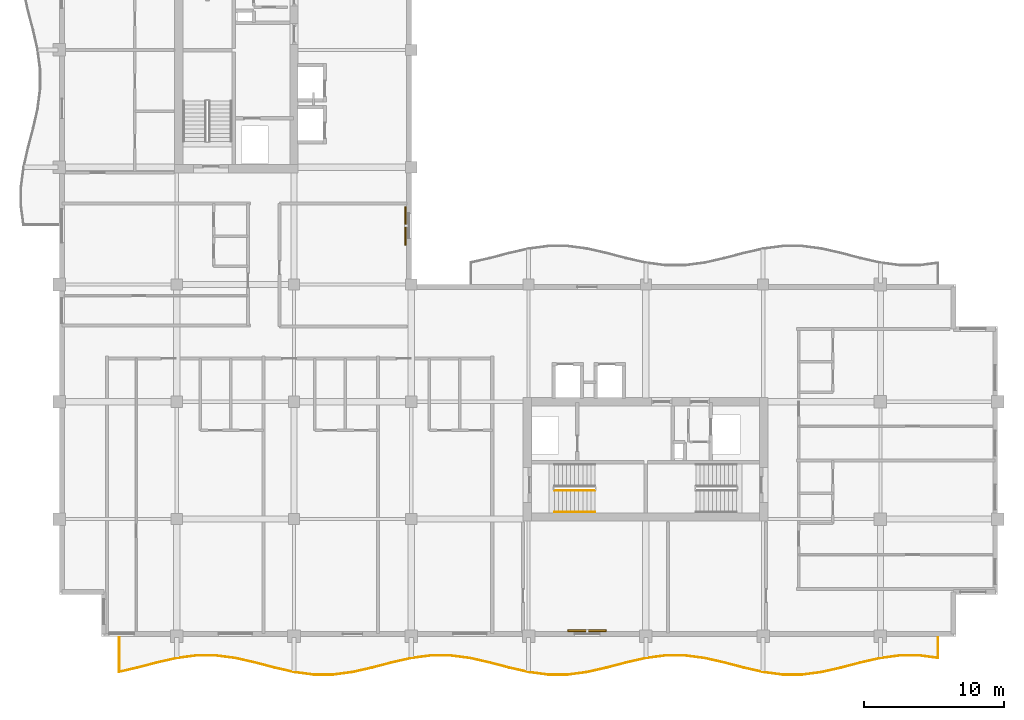
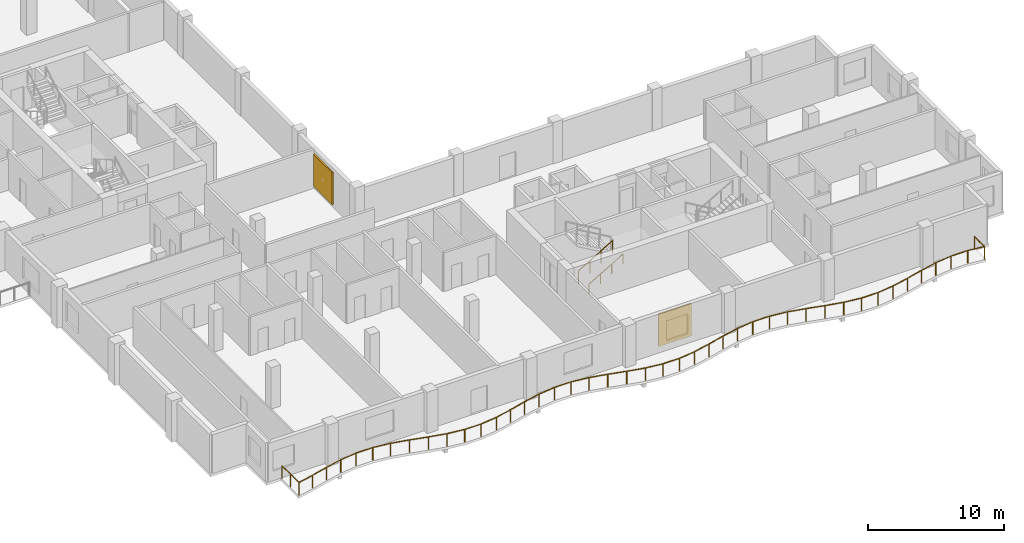
# One storey, part 10 of 12: 3 railings, 2 shading devices.
"""IFC4 building model written with IfcOpenShell, lengths in metres."""

from ifc_helpers import new_model, si_unit, direction, frame, origin, origin_2d, place, context, subcontext, project, spatial, rectangle, circle, extrude, material, layer, layer_set, type_object, element, save


model = new_model("IFC4")

# Units and contexts
model_context = context("Model", 3, precision=1e-05, world=origin(), true_north=direction((0.0, 1.0)))
body_context = subcontext(model_context, "Body", "Model", "MODEL_VIEW")
ifc_project = project(units=[si_unit("LENGTHUNIT", "METRE"), si_unit("AREAUNIT", "SQUARE_METRE"), si_unit("VOLUMEUNIT", "CUBIC_METRE"), si_unit("PLANEANGLEUNIT", "RADIAN"), si_unit("MASSUNIT", "GRAM", prefix="KILO")], contexts=[model_context])

# Site, building, storey
site_placement = place(None, origin())
site = spatial("IfcSite", under=ifc_project, at=site_placement, CompositionType="ELEMENT")
building_placement = place(site_placement, origin())
building = spatial("IfcBuilding", under=site, at=building_placement, Name="Koriwani Terraces Tower", CompositionType="ELEMENT")
storey_placement = place(building_placement, frame((0.0, 0.0, 249.0)))
storey = spatial("IfcBuildingStorey", under=building, at=storey_placement, Name="L61", CompositionType="ELEMENT", Elevation=249.0)

# Railings
ifc_material_1 = material(Name="Steel ASTM A572 Grade 50", Category="steel")
railing_type_1 = type_object("IfcRailingType", Name="GUARD_BALUSTRADE_1150", PredefinedType="BALUSTRADE", material=ifc_material_1)
railing_1_placement = place(storey_placement, frame((12.679931640625, 8.320068359375, 0.0)))
element("IfcRailing", 1, at=railing_1_placement, inside=storey, type_object=railing_type_1, Name="L61 Balcony Perimeter Safety Balustrade (S)", PredefinedType="BALUSTRADE", context=body_context, shape_type="SweptSolid", body=[
    extrude(circle(Radius=0.02392578125, at=origin_2d()), frame((0.0, 0.0, 1.1259765625), z_axis=(0.0, -1.0, 0.0), x_axis=(1.0, 0.0, 0.0)), (0.0, 0.0, 1.0), 2.4619140625),
    extrude(circle(Radius=0.02392578125, at=origin_2d()), frame((0.0, -2.4619140625, 1.1259765625), z_axis=(0.97513824805, 0.221597376316, 0.0), x_axis=(-0.221597376316, 0.97513824805, 0.0)), (0.0, 0.0, 1.0), 1.334228515625),
    extrude(circle(Radius=0.02392578125, at=origin_2d()), frame((1.301025390625, -2.166259765625, 1.1259765625), z_axis=(0.967207664387, 0.253986877518, 0.0), x_axis=(-0.253986877518, 0.967207664387, 0.0)), (0.0, 0.0, 1.0), 1.447509765625),
    extrude(circle(Radius=0.02392578125, at=origin_2d()), frame((2.701171875, -1.798583984375, 1.1259765625), z_axis=(0.975122866469, 0.221665052023, 0.0), x_axis=(-0.221665052023, 0.975122866469, 0.0)), (0.0, 0.0, 1.0), 1.440673828125),
    extrude(circle(Radius=0.02392578125, at=origin_2d()), frame((4.10595703125, -1.479248046875, 1.1259765625), z_axis=(0.991528403605, 0.12989004906, 0.0), x_axis=(-0.12989004906, 0.991528403605, 0.0)), (0.0, 0.0, 1.0), 1.4208984375),
    extrude(circle(Radius=0.02392578125, at=origin_2d()), frame((5.514892578125, -1.294677734375, 1.1259765625), z_axis=(1.0, 0.0, 0.0), x_axis=(0.0, 1.0, 0.0)), (0.0, 0.0, 1.0), 1.410400390625),
    extrude(circle(Radius=0.02392578125, at=origin_2d()), frame((6.92529296875, -1.294677734375, 1.1259765625), z_axis=(0.991528403605, -0.12989004906, 0.0), x_axis=(0.12989004906, 0.991528403605, 0.0)), (0.0, 0.0, 1.0), 1.4208984375),
    extrude(circle(Radius=0.02392578125, at=origin_2d()), frame((8.334228515625, -1.479248046875, 1.1259765625), z_axis=(0.975122866469, -0.221665052023, 0.0), x_axis=(0.221665052023, 0.975122866469, 0.0)), (0.0, 0.0, 1.0), 1.440673828125),
    extrude(circle(Radius=0.02392578125, at=origin_2d()), frame((9.739013671875, -1.798583984375, 1.1259765625), z_axis=(0.967207664387, -0.253986877518, 0.0), x_axis=(0.253986877518, 0.967207664387, 0.0)), (0.0, 0.0, 1.0), 1.447509765625),
    extrude(circle(Radius=0.02392578125, at=origin_2d()), frame((11.13916015625, -2.166259765625, 1.1259765625), z_axis=(0.975156320387, -0.221517834068, 0.0), x_axis=(0.221517834068, 0.975156320387, 0.0)), (0.0, 0.0, 1.0), 1.4306640625),
    extrude(circle(Radius=0.02392578125, at=origin_2d()), frame((12.5341796875, -2.483154296875, 1.1259765625), z_axis=(0.991493340479, -0.130157426935, 0.0), x_axis=(0.130157426935, 0.991493340479, 0.0)), (0.0, 0.0, 1.0), 1.403076171875),
    extrude(circle(Radius=0.02392578125, at=origin_2d()), frame((13.92529296875, -2.665771484375, 1.1259765625), z_axis=(1.0, 0.0, 0.0), x_axis=(0.0, 1.0, 0.0)), (0.0, 0.0, 1.0), 1.3896484375),
    extrude(circle(Radius=0.02392578125, at=origin_2d()), frame((15.31494140625, -2.665771484375, 1.1259765625), z_axis=(0.991493340479, 0.130157426935, 0.0), x_axis=(-0.130157426935, 0.991493340479, 0.0)), (0.0, 0.0, 1.0), 1.403076171875),
    extrude(circle(Radius=0.02392578125, at=origin_2d()), frame((16.7060546875, -2.483154296875, 1.1259765625), z_axis=(0.975156320387, 0.221517834068, 0.0), x_axis=(-0.221517834068, 0.975156320387, 0.0)), (0.0, 0.0, 1.0), 1.4306640625),
    extrude(circle(Radius=0.02392578125, at=origin_2d()), frame((18.10107421875, -2.166259765625, 1.1259765625), z_axis=(0.967196782226, 0.254028314271, 0.0), x_axis=(-0.254028314271, 0.967196782226, 0.0)), (0.0, 0.0, 1.0), 1.447265625),
    extrude(circle(Radius=0.02392578125, at=origin_2d()), frame((19.5009765625, -1.798583984375, 1.1259765625), z_axis=(0.975131191317, 0.221628427149, 0.0), x_axis=(-0.221628427149, 0.975131191317, 0.0)), (0.0, 0.0, 1.0), 1.44091796875),
    extrude(circle(Radius=0.02392578125, at=origin_2d()), frame((20.906005859375, -1.479248046875, 1.1259765625), z_axis=(0.991528403605, 0.12989004906, 0.0), x_axis=(-0.12989004906, 0.991528403605, 0.0)), (0.0, 0.0, 1.0), 1.4208984375),
    extrude(circle(Radius=0.02392578125, at=origin_2d()), frame((22.31494140625, -1.294677734375, 1.1259765625), z_axis=(1.0, 0.0, 0.0), x_axis=(0.0, 1.0, 0.0)), (0.0, 0.0, 1.0), 1.410400390625),
    extrude(circle(Radius=0.02392578125, at=origin_2d()), frame((23.725341796875, -1.294677734375, 1.1259765625), z_axis=(0.991528403605, -0.12989004906, 0.0), x_axis=(0.12989004906, 0.991528403605, 0.0)), (0.0, 0.0, 1.0), 1.4208984375),
    extrude(circle(Radius=0.02392578125, at=origin_2d()), frame((25.13427734375, -1.479248046875, 1.1259765625), z_axis=(0.975122866469, -0.221665052023, 0.0), x_axis=(0.221665052023, 0.975122866469, 0.0)), (0.0, 0.0, 1.0), 1.440673828125),
    extrude(circle(Radius=0.02392578125, at=origin_2d()), frame((26.5390625, -1.798583984375, 1.1259765625), z_axis=(0.967196782226, -0.254028314271, 0.0), x_axis=(0.254028314271, 0.967196782226, 0.0)), (0.0, 0.0, 1.0), 1.447265625),
    extrude(circle(Radius=0.02392578125, at=origin_2d()), frame((27.93896484375, -2.166259765625, 1.1259765625), z_axis=(0.975164692652, -0.221480974814, 0.0), x_axis=(0.221480974814, 0.975164692652, 0.0)), (0.0, 0.0, 1.0), 1.430908203125),
    extrude(circle(Radius=0.02392578125, at=origin_2d()), frame((29.334228515625, -2.483154296875, 1.1259765625), z_axis=(0.991493340479, -0.130157426935, 0.0), x_axis=(0.130157426935, 0.991493340479, 0.0)), (0.0, 0.0, 1.0), 1.403076171875),
    extrude(circle(Radius=0.02392578125, at=origin_2d()), frame((30.725341796875, -2.665771484375, 1.1259765625), z_axis=(1.0, 0.0, 0.0), x_axis=(0.0, 1.0, 0.0)), (0.0, 0.0, 1.0), 1.3896484375),
    extrude(circle(Radius=0.02392578125, at=origin_2d()), frame((32.114990234375, -2.665771484375, 1.1259765625), z_axis=(0.991490391866, 0.130179886452, 0.0), x_axis=(-0.130179886452, 0.991490391866, 0.0)), (0.0, 0.0, 1.0), 1.40283203125),
    extrude(circle(Radius=0.02392578125, at=origin_2d()), frame((33.505859375, -2.483154296875, 1.1259765625), z_axis=(0.975164692652, 0.221480974814, 0.0), x_axis=(-0.221480974814, 0.975164692652, 0.0)), (0.0, 0.0, 1.0), 1.430908203125),
    extrude(circle(Radius=0.02392578125, at=origin_2d()), frame((34.901123046875, -2.166259765625, 1.1259765625), z_axis=(0.967196782226, 0.254028314271, 0.0), x_axis=(-0.254028314271, 0.967196782226, 0.0)), (0.0, 0.0, 1.0), 1.447265625),
    extrude(circle(Radius=0.02392578125, at=origin_2d()), frame((36.301025390625, -1.798583984375, 1.1259765625), z_axis=(0.975131191317, 0.221628427149, 0.0), x_axis=(-0.221628427149, 0.975131191317, 0.0)), (0.0, 0.0, 1.0), 1.44091796875),
    extrude(circle(Radius=0.02392578125, at=origin_2d()), frame((37.7060546875, -1.479248046875, 1.1259765625), z_axis=(0.991528403605, 0.12989004906, 0.0), x_axis=(-0.12989004906, 0.991528403605, 0.0)), (0.0, 0.0, 1.0), 1.4208984375),
    extrude(circle(Radius=0.02392578125, at=origin_2d()), frame((39.114990234375, -1.294677734375, 1.1259765625), z_axis=(1.0, 0.0, 0.0), x_axis=(0.0, 1.0, 0.0)), (0.0, 0.0, 1.0), 1.41015625),
    extrude(circle(Radius=0.02392578125, at=origin_2d()), frame((40.525146484375, -1.294677734375, 1.1259765625), z_axis=(0.991528403605, -0.12989004906, 0.0), x_axis=(0.12989004906, 0.991528403605, 0.0)), (0.0, 0.0, 1.0), 1.4208984375),
    extrude(circle(Radius=0.02392578125, at=origin_2d()), frame((41.93408203125, -1.479248046875, 1.1259765625), z_axis=(0.975131191317, -0.221628427149, 0.0), x_axis=(0.221628427149, 0.975131191317, 0.0)), (0.0, 0.0, 1.0), 1.44091796875),
    extrude(circle(Radius=0.02392578125, at=origin_2d()), frame((43.339111328125, -1.798583984375, 1.1259765625), z_axis=(0.967196782226, -0.254028314271, 0.0), x_axis=(0.254028314271, 0.967196782226, 0.0)), (0.0, 0.0, 1.0), 1.447265625),
    extrude(circle(Radius=0.02392578125, at=origin_2d()), frame((44.739013671875, -2.166259765625, 1.1259765625), z_axis=(0.975164692652, -0.221480974814, 0.0), x_axis=(0.221480974814, 0.975164692652, 0.0)), (0.0, 0.0, 1.0), 1.430908203125),
    extrude(circle(Radius=0.02392578125, at=origin_2d()), frame((46.13427734375, -2.483154296875, 1.1259765625), z_axis=(0.991490391866, -0.130179886452, 0.0), x_axis=(0.130179886452, 0.991490391866, 0.0)), (0.0, 0.0, 1.0), 1.40283203125),
    extrude(circle(Radius=0.02392578125, at=origin_2d()), frame((47.525146484375, -2.665771484375, 1.1259765625), z_axis=(1.0, 0.0, 0.0), x_axis=(0.0, 1.0, 0.0)), (0.0, 0.0, 1.0), 1.3896484375),
    extrude(circle(Radius=0.02392578125, at=origin_2d()), frame((48.914794921875, -2.665771484375, 1.1259765625), z_axis=(0.991493340479, 0.130157426935, 0.0), x_axis=(-0.130157426935, 0.991493340479, 0.0)), (0.0, 0.0, 1.0), 1.403076171875),
    extrude(circle(Radius=0.02392578125, at=origin_2d()), frame((50.305908203125, -2.483154296875, 1.1259765625), z_axis=(0.975164692652, 0.221480974814, 0.0), x_axis=(-0.221480974814, 0.975164692652, 0.0)), (0.0, 0.0, 1.0), 1.430908203125),
    extrude(circle(Radius=0.02392578125, at=origin_2d()), frame((51.701171875, -2.166259765625, 1.1259765625), z_axis=(0.967196782226, 0.254028314271, 0.0), x_axis=(-0.254028314271, 0.967196782226, 0.0)), (0.0, 0.0, 1.0), 1.447265625),
    extrude(circle(Radius=0.02392578125, at=origin_2d()), frame((53.10107421875, -1.798583984375, 1.1259765625), z_axis=(0.975122866469, 0.221665052023, 0.0), x_axis=(-0.221665052023, 0.975122866469, 0.0)), (0.0, 0.0, 1.0), 1.440673828125),
    extrude(circle(Radius=0.02392578125, at=origin_2d()), frame((54.505859375, -1.479248046875, 1.1259765625), z_axis=(0.991528403605, 0.12989004906, 0.0), x_axis=(-0.12989004906, 0.991528403605, 0.0)), (0.0, 0.0, 1.0), 1.4208984375),
    extrude(circle(Radius=0.02392578125, at=origin_2d()), frame((55.914794921875, -1.294677734375, 1.1259765625), z_axis=(1.0, 0.0, 0.0), x_axis=(0.0, 1.0, 0.0)), (0.0, 0.0, 1.0), 1.410400390625),
    extrude(circle(Radius=0.02392578125, at=origin_2d()), frame((57.3251953125, -1.294677734375, 1.1259765625), z_axis=(0.991541795882, -0.129787776847, 0.0), x_axis=(0.129787776847, 0.991541795882, 0.0)), (0.0, 0.0, 1.0), 1.326171875),
    extrude(circle(Radius=0.02392578125, at=origin_2d()), frame((58.64013671875, -1.466796875, 1.1259765625), z_axis=(0.0, 1.0, 0.0), x_axis=(-1.0, 0.0, 0.0)), (0.0, 0.0, 1.0), 1.466796875),
    extrude(circle(Radius=0.02099609375, at=origin_2d()), origin(), (0.0, 0.0, 1.0), 1.101806640625),
    extrude(circle(Radius=0.02099609375, at=origin_2d()), frame((0.0, -1.23095703125, 0.0)), (0.0, 0.0, 1.0), 1.101806640625),
    extrude(circle(Radius=0.02099609375, at=origin_2d()), frame((0.0, -2.4619140625, 0.0)), (0.0, 0.0, 1.0), 1.101806640625),
    extrude(circle(Radius=0.02099609375, at=origin_2d()), frame((1.301025390625, -2.166259765625, 0.0)), (0.0, 0.0, 1.0), 1.101806640625),
    extrude(circle(Radius=0.02099609375, at=origin_2d()), frame((2.701171875, -1.798583984375, 0.0)), (0.0, 0.0, 1.0), 1.101806640625),
    extrude(circle(Radius=0.02099609375, at=origin_2d()), frame((4.10595703125, -1.479248046875, 0.0)), (0.0, 0.0, 1.0), 1.101806640625),
    extrude(circle(Radius=0.02099609375, at=origin_2d()), frame((5.514892578125, -1.294677734375, 0.0)), (0.0, 0.0, 1.0), 1.101806640625),
    extrude(circle(Radius=0.02099609375, at=origin_2d()), frame((6.92529296875, -1.294677734375, 0.0)), (0.0, 0.0, 1.0), 1.101806640625),
    extrude(circle(Radius=0.02099609375, at=origin_2d()), frame((8.334228515625, -1.479248046875, 0.0)), (0.0, 0.0, 1.0), 1.101806640625),
    extrude(circle(Radius=0.02099609375, at=origin_2d()), frame((9.739013671875, -1.798583984375, 0.0)), (0.0, 0.0, 1.0), 1.101806640625),
    extrude(circle(Radius=0.02099609375, at=origin_2d()), frame((11.13916015625, -2.166259765625, 0.0)), (0.0, 0.0, 1.0), 1.101806640625),
    extrude(circle(Radius=0.02099609375, at=origin_2d()), frame((12.5341796875, -2.483154296875, 0.0)), (0.0, 0.0, 1.0), 1.101806640625),
    extrude(circle(Radius=0.02099609375, at=origin_2d()), frame((13.92529296875, -2.665771484375, 0.0)), (0.0, 0.0, 1.0), 1.101806640625),
    extrude(circle(Radius=0.02099609375, at=origin_2d()), frame((15.31494140625, -2.665771484375, 0.0)), (0.0, 0.0, 1.0), 1.101806640625),
    extrude(circle(Radius=0.02099609375, at=origin_2d()), frame((16.7060546875, -2.483154296875, 0.0)), (0.0, 0.0, 1.0), 1.101806640625),
    extrude(circle(Radius=0.02099609375, at=origin_2d()), frame((18.10107421875, -2.166259765625, 0.0)), (0.0, 0.0, 1.0), 1.101806640625),
    extrude(circle(Radius=0.02099609375, at=origin_2d()), frame((19.5009765625, -1.798583984375, 0.0)), (0.0, 0.0, 1.0), 1.101806640625),
    extrude(circle(Radius=0.02099609375, at=origin_2d()), frame((20.906005859375, -1.479248046875, 0.0)), (0.0, 0.0, 1.0), 1.101806640625),
    extrude(circle(Radius=0.02099609375, at=origin_2d()), frame((22.31494140625, -1.294677734375, 0.0)), (0.0, 0.0, 1.0), 1.101806640625),
    extrude(circle(Radius=0.02099609375, at=origin_2d()), frame((23.725341796875, -1.294677734375, 0.0)), (0.0, 0.0, 1.0), 1.101806640625),
    extrude(circle(Radius=0.02099609375, at=origin_2d()), frame((25.13427734375, -1.479248046875, 0.0)), (0.0, 0.0, 1.0), 1.101806640625),
    extrude(circle(Radius=0.02099609375, at=origin_2d()), frame((26.5390625, -1.798583984375, 0.0)), (0.0, 0.0, 1.0), 1.101806640625),
    extrude(circle(Radius=0.02099609375, at=origin_2d()), frame((27.93896484375, -2.166259765625, 0.0)), (0.0, 0.0, 1.0), 1.101806640625),
    extrude(circle(Radius=0.02099609375, at=origin_2d()), frame((29.334228515625, -2.483154296875, 0.0)), (0.0, 0.0, 1.0), 1.101806640625),
    extrude(circle(Radius=0.02099609375, at=origin_2d()), frame((30.725341796875, -2.665771484375, 0.0)), (0.0, 0.0, 1.0), 1.101806640625),
    extrude(circle(Radius=0.02099609375, at=origin_2d()), frame((32.114990234375, -2.665771484375, 0.0)), (0.0, 0.0, 1.0), 1.101806640625),
    extrude(circle(Radius=0.02099609375, at=origin_2d()), frame((33.505859375, -2.483154296875, 0.0)), (0.0, 0.0, 1.0), 1.101806640625),
    extrude(circle(Radius=0.02099609375, at=origin_2d()), frame((34.901123046875, -2.166259765625, 0.0)), (0.0, 0.0, 1.0), 1.101806640625),
    extrude(circle(Radius=0.02099609375, at=origin_2d()), frame((36.301025390625, -1.798583984375, 0.0)), (0.0, 0.0, 1.0), 1.101806640625),
    extrude(circle(Radius=0.02099609375, at=origin_2d()), frame((37.7060546875, -1.479248046875, 0.0)), (0.0, 0.0, 1.0), 1.101806640625),
    extrude(circle(Radius=0.02099609375, at=origin_2d()), frame((39.114990234375, -1.294677734375, 0.0)), (0.0, 0.0, 1.0), 1.101806640625),
    extrude(circle(Radius=0.02099609375, at=origin_2d()), frame((40.525146484375, -1.294677734375, 0.0)), (0.0, 0.0, 1.0), 1.101806640625),
    extrude(circle(Radius=0.02099609375, at=origin_2d()), frame((41.93408203125, -1.479248046875, 0.0)), (0.0, 0.0, 1.0), 1.101806640625),
    extrude(circle(Radius=0.02099609375, at=origin_2d()), frame((43.339111328125, -1.798583984375, 0.0)), (0.0, 0.0, 1.0), 1.101806640625),
    extrude(circle(Radius=0.02099609375, at=origin_2d()), frame((44.739013671875, -2.166259765625, 0.0)), (0.0, 0.0, 1.0), 1.101806640625),
    extrude(circle(Radius=0.02099609375, at=origin_2d()), frame((46.13427734375, -2.483154296875, 0.0)), (0.0, 0.0, 1.0), 1.101806640625),
    extrude(circle(Radius=0.02099609375, at=origin_2d()), frame((47.525146484375, -2.665771484375, 0.0)), (0.0, 0.0, 1.0), 1.101806640625),
    extrude(circle(Radius=0.02099609375, at=origin_2d()), frame((48.914794921875, -2.665771484375, 0.0)), (0.0, 0.0, 1.0), 1.101806640625),
    extrude(circle(Radius=0.02099609375, at=origin_2d()), frame((50.305908203125, -2.483154296875, 0.0)), (0.0, 0.0, 1.0), 1.101806640625),
    extrude(circle(Radius=0.02099609375, at=origin_2d()), frame((51.701171875, -2.166259765625, 0.0)), (0.0, 0.0, 1.0), 1.101806640625),
    extrude(circle(Radius=0.02099609375, at=origin_2d()), frame((53.10107421875, -1.798583984375, 0.0)), (0.0, 0.0, 1.0), 1.101806640625),
    extrude(circle(Radius=0.02099609375, at=origin_2d()), frame((54.505859375, -1.479248046875, 0.0)), (0.0, 0.0, 1.0), 1.101806640625),
    extrude(circle(Radius=0.02099609375, at=origin_2d()), frame((55.914794921875, -1.294677734375, 0.0)), (0.0, 0.0, 1.0), 1.101806640625),
    extrude(circle(Radius=0.02099609375, at=origin_2d()), frame((57.3251953125, -1.294677734375, 0.0)), (0.0, 0.0, 1.0), 1.101806640625),
    extrude(circle(Radius=0.02099609375, at=origin_2d()), frame((58.64013671875, -1.466796875, 0.0)), (0.0, 0.0, 1.0), 1.101806640625),
    extrude(circle(Radius=0.02099609375, at=origin_2d()), frame((58.64013671875, 0.0, 0.0)), (0.0, 0.0, 1.0), 1.101806640625),
])
railing_type_2 = type_object("IfcRailingType", Name="GUARD_STAIR_WELL_1120", PredefinedType="GUARDRAIL", material=ifc_material_1)
railing_2_placement = place(storey_placement, frame((43.85009765625, 18.85009765625, 0.168212890625)))
element("IfcRailing", 2, at=railing_2_placement, inside=storey, type_object=railing_type_2, Name="L61 ST-E1 stair guard 1", PredefinedType="GUARDRAIL", context=body_context, shape_type="SweptSolid", body=[
    extrude(circle(Radius=0.02392578125, at=origin_2d()), frame((0.0, 0.0, 1.1259765625), z_axis=(0.865038774852, 0.0, 0.501705010941), x_axis=(0.0, 1.0, 0.0)), (0.0, 0.0, 1.0), 3.352294921875),
    extrude(circle(Radius=0.02099609375, at=origin_2d()), origin(), (0.0, 0.0, 1.0), 1.101806640625),
    extrude(circle(Radius=0.02099609375, at=origin_2d()), frame((0.966552734375, 0.0, 0.560546875)), (0.0, 0.0, 1.0), 1.101806640625),
    extrude(circle(Radius=0.02099609375, at=origin_2d()), frame((1.933349609375, 0.0, 1.121337890625)), (0.0, 0.0, 1.0), 1.101806640625),
    extrude(circle(Radius=0.02099609375, at=origin_2d()), frame((2.89990234375, 0.0, 1.681884765625)), (0.0, 0.0, 1.0), 1.101806640625),
])
railing_type_3 = type_object("IfcRailingType", Name="HANDRAIL_STAIR_920", PredefinedType="HANDRAIL", material=ifc_material_1)
railing_3_placement = place(storey_placement, frame((43.85009765625, 17.300048828125, 0.168212890625)))
element("IfcRailing", 3, at=railing_3_placement, inside=storey, type_object=railing_type_3, Name="L61 ST-E1 stair handrail 1", PredefinedType="HANDRAIL", context=body_context, shape_type="SweptSolid", body=[
    extrude(circle(Radius=0.02392578125, at=origin_2d()), frame((0.0, 0.0, 0.8759765625), z_axis=(0.865038774852, 0.0, 0.501705010941), x_axis=(0.0, 1.0, 0.0)), (0.0, 0.0, 1.0), 3.352294921875),
    extrude(circle(Radius=0.02099609375, at=origin_2d()), origin(), (0.0, 0.0, 1.0), 0.851806640625),
    extrude(circle(Radius=0.02099609375, at=origin_2d()), frame((0.966552734375, 0.0, 0.560546875)), (0.0, 0.0, 1.0), 0.851806640625),
    extrude(circle(Radius=0.02099609375, at=origin_2d()), frame((1.933349609375, 0.0, 1.121337890625)), (0.0, 0.0, 1.0), 0.851806640625),
    extrude(circle(Radius=0.02099609375, at=origin_2d()), frame((2.89990234375, 0.0, 1.681884765625)), (0.0, 0.0, 1.0), 0.851806640625),
])

# Shading devices
ifc_material_2 = material(Name="Extruded Terracotta Clay", Category="masonry")
ifc_layer = layer(ifc_material_2, 0.1201171875, Name="Extruded Terracotta Clay")
ifc_layer_set = layer_set([ifc_layer], Name="Extruded Terracotta Clay")
shading_device_type = type_object("IfcShadingDeviceType", Name="TERRACOTTA_BAGUETTE_SCREEN_2800", PredefinedType="USERDEFINED", material=ifc_layer_set)
for number, where, z_axis, x_axis, name in (
    (4, (33.195068359375, 37.800048828125, 0.28515625), (0.0, 0.0, 1.0), (0.0, -1.0, 0.0), "L61 Extruded Terracotta Baguette Screen (NW_IN-2)"),
    (5, (46.199951171875, 8.804931640625, 0.28515625), (0.0, 0.0, 1.0), (-1.0, 0.0, 0.0), "L61 Extruded Terracotta Baguette Screen (S-12)"),
):
    element("IfcShadingDevice", number, at=place(storey_placement, frame(where, z_axis=z_axis, x_axis=x_axis)), inside=storey, type_object=shading_device_type, Name=name, ObjectType="BAGUETTE", PredefinedType="USERDEFINED", context=body_context, shape_type="SweptSolid", body=[
        extrude(rectangle(XDim=2.760009765625, YDim=0.1201171875, at=origin_2d()), origin(), (0.0, 0.0, 1.0), 2.89990234375),
    ])

save(model, "model.ifc")
